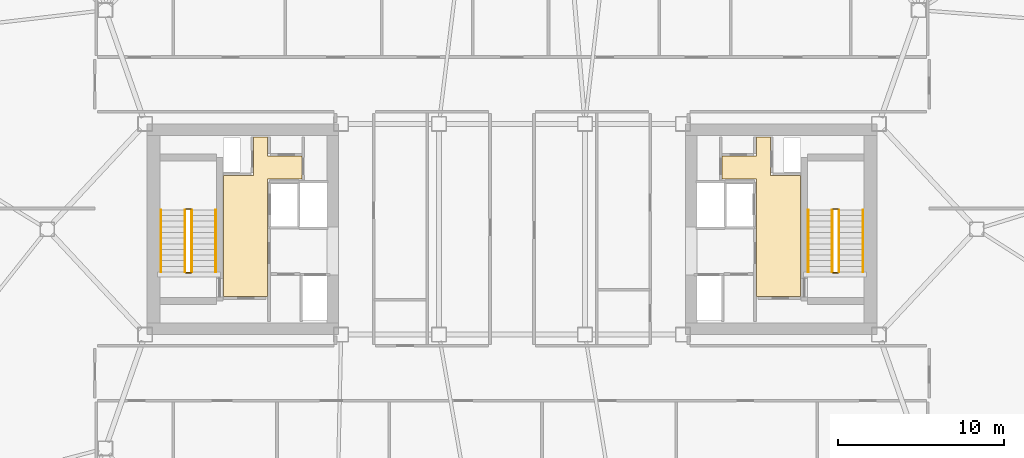
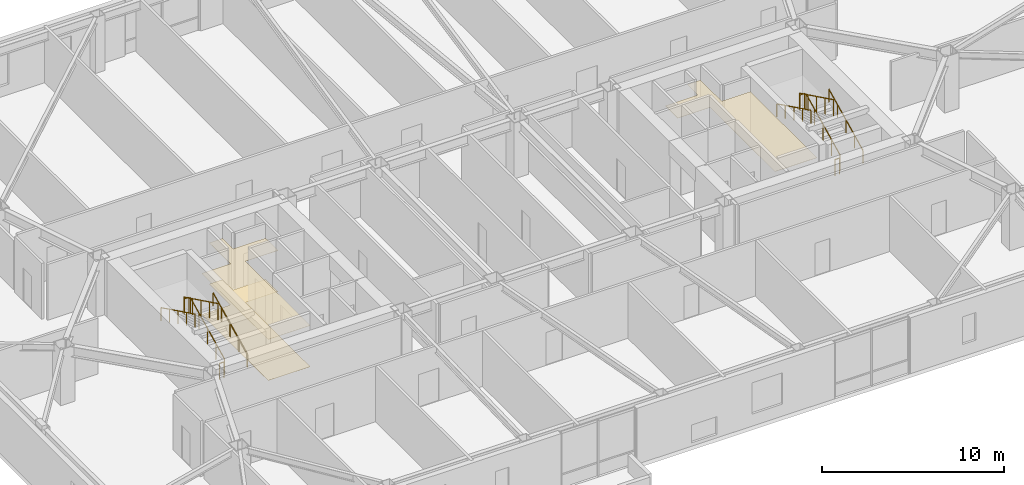
# One storey, part 18 of 18: 12 railings, 3 coverings.
"""IFC4 building model written with IfcOpenShell, lengths in metres."""

from ifc_helpers import new_model, si_unit, direction, frame, origin, origin_2d, place, context, subcontext, project, spatial, polyline, rectangle, outline, extrude, material, layer, layer_set, type_object, element, save


model = new_model("IFC4")

# Units and contexts
model_context = context("Model", 3, precision=1e-05, world=origin(), true_north=direction((0.0, 1.0)))
body_context = subcontext(model_context, "Body", "Model", "MODEL_VIEW")
ifc_project = project(units=[si_unit("LENGTHUNIT", "METRE"), si_unit("AREAUNIT", "SQUARE_METRE"), si_unit("VOLUMEUNIT", "CUBIC_METRE"), si_unit("PLANEANGLEUNIT", "RADIAN"), si_unit("MASSUNIT", "GRAM", prefix="KILO")], contexts=[model_context])

# Site, building, storey
site_placement = place(None, origin())
site = spatial("IfcSite", under=ifc_project, at=site_placement, CompositionType="ELEMENT")
building_placement = place(site_placement, origin())
building = spatial("IfcBuilding", under=site, at=building_placement, Name="Tavrogorsk Clinical Tower", CompositionType="ELEMENT")
storey_placement = place(building_placement, frame((0.0, 0.0, 168.199951171875)))
storey = spatial("IfcBuildingStorey", under=building, at=storey_placement, Name="L38", CompositionType="ELEMENT", Elevation=168.199951171875)

# Coverings
ifc_material_1 = material(Name="Antibacterial micro-perforated aluminium ceiling", Category="aluminium")
ifc_layer_1 = layer(ifc_material_1, 0.014892578125)
ifc_layer_set_1 = layer_set([ifc_layer_1], Name="Antibacterial micro-perforated aluminium ceiling")
covering_type_1 = type_object("IfcCoveringType", Name="ClinicalCeiling_15", PredefinedType="CEILING", material=ifc_layer_set_1)
covering_1_placement = place(storey_placement, frame((0.0, 0.0, 2.75)))
element("IfcCovering", 1, at=covering_1_placement, inside=storey, type_object=covering_type_1, Name="Core West Firefighting Lift Lobby Acoustic Ceiling", PredefinedType="CEILING", context=body_context, shape_type="SweptSolid", body=[
    extrude(outline(polyline([(-17.3798828125, -4.06005859375), (-17.3798828125, 3.239990234375), (-15.56005859375, 3.239990234375), (-15.56005859375, 5.56005859375), (-14.719970703125, 5.56005859375), (-14.719970703125, 4.39990234375), (-12.659912109375, 4.39990234375), (-12.659912109375, 3.0400390625), (-14.719970703125, 3.0400390625), (-14.719970703125, -4.06005859375), (-17.3798828125, -4.06005859375)])), origin(), (0.0, 0.0, 1.0), 0.01513671875),
])
covering_2_placement = place(storey_placement, frame((0.0, 0.0, 2.75)))
element("IfcCovering", 2, at=covering_2_placement, inside=storey, type_object=covering_type_1, Name="Core East Firefighting Lift Lobby Acoustic Ceiling", PredefinedType="CEILING", context=body_context, shape_type="SweptSolid", body=[
    extrude(outline(polyline([(14.719970703125, 3.0400390625), (12.659912109375, 3.0400390625), (12.659912109375, 4.39990234375), (14.719970703125, 4.39990234375), (14.719970703125, 5.56005859375), (15.56005859375, 5.56005859375), (15.56005859375, 3.239990234375), (17.3798828125, 3.239990234375), (17.3798828125, -4.06005859375), (14.719970703125, -4.06005859375), (14.719970703125, 3.0400390625)])), origin(), (0.0, 0.0, 1.0), 0.01513671875),
])
ifc_material_2 = material(Name="Homogeneous medical conductive PVC flooring")
ifc_layer_2 = layer(ifc_material_2, 0.008056640625)
ifc_layer_set_2 = layer_set([ifc_layer_2], Name="Homogeneous medical conductive PVC flooring")
covering_type_2 = type_object("IfcCoveringType", Name="ResilientVinylFloor_8", PredefinedType="FLOORING", material=ifc_layer_set_2)
covering_3_placement = place(storey_placement, origin())
element("IfcCovering", 3, at=covering_3_placement, inside=storey, type_object=covering_type_2, Name="Core West Firefighting Lift Lobby Conductive Vinyl Flooring", PredefinedType="FLOORING", context=body_context, shape_type="SweptSolid", body=[
    extrude(outline(polyline([(-17.3798828125, -4.06005859375), (-17.3798828125, 3.239990234375), (-15.56005859375, 3.239990234375), (-15.56005859375, 5.56005859375), (-14.719970703125, 5.56005859375), (-14.719970703125, 4.39990234375), (-12.659912109375, 4.39990234375), (-12.659912109375, 3.0400390625), (-14.719970703125, 3.0400390625), (-14.719970703125, -4.06005859375), (-17.3798828125, -4.06005859375)])), origin(), (0.0, 0.0, 1.0), 0.008056640625),
])

# Railings
ifc_material_3 = material(Name="Galvanised steel S355 safety stairwell guard", Category="steel")
ifc_layer_3 = layer(ifc_material_3, 0.06005859375)
ifc_layer_set_3 = layer_set([ifc_layer_3], Name="Galvanised steel S355 safety stairwell guard")
railing_type_1 = type_object("IfcRailingType", Name="StairGuard_1150", PredefinedType="GUARDRAIL", material=ifc_layer_set_3)
railing_1_placement = place(storey_placement, frame((-19.300048828125, -2.574951171875, 0.166748046875)))
element("IfcRailing", 4, at=railing_1_placement, inside=storey, type_object=railing_type_1, Name="L38 ST-W stair guard 1", PredefinedType="GUARDRAIL", context=body_context, shape_type="SweptSolid", body=[
    extrude(rectangle(XDim=0.048095703125, YDim=0.048095703125, at=origin_2d()), frame((0.0, 0.0, 1.076171875), z_axis=(0.0, 0.897927990467, 0.440142390523), x_axis=(-1.0, 0.0, 0.0)), (0.0, 0.0, 1.0), 4.1650390625),
    extrude(rectangle(XDim=0.0419921875, YDim=0.0419921875, at=origin_2d()), origin(), (0.0, 0.0, 1.0), 1.052001953125),
    extrude(rectangle(XDim=0.0419921875, YDim=0.0419921875, at=origin_2d()), frame((0.0, 0.93505859375, 0.458251953125)), (0.0, 0.0, 1.0), 1.052001953125),
    extrude(rectangle(XDim=0.0419921875, YDim=0.0419921875, at=origin_2d()), frame((0.0, 1.8701171875, 0.91650390625)), (0.0, 0.0, 1.0), 1.052001953125),
    extrude(rectangle(XDim=0.0419921875, YDim=0.0419921875, at=origin_2d()), frame((0.0, 2.804931640625, 1.375)), (0.0, 0.0, 1.0), 1.052001953125),
    extrude(rectangle(XDim=0.0419921875, YDim=0.0419921875, at=origin_2d()), frame((0.0, 3.739990234375, 1.833251953125)), (0.0, 0.0, 1.0), 1.052001953125),
])
railing_2_placement = place(storey_placement, frame((-19.35009765625, 1.215087890625, 2.0)))
element("IfcRailing", 5, at=railing_2_placement, inside=storey, type_object=railing_type_1, Name="L38 ST-W stair guard 2", PredefinedType="GUARDRAIL", context=body_context, shape_type="SweptSolid", body=[
    extrude(rectangle(XDim=0.048095703125, YDim=0.048095703125, at=origin_2d()), frame((0.0, 0.0, 1.076171875), z_axis=(-1.0, 0.0, 0.0), x_axis=(0.0, -1.0, 0.0)), (0.0, 0.0, 1.0), 0.2998046875),
    extrude(rectangle(XDim=0.0419921875, YDim=0.0419921875, at=origin_2d()), origin(), (0.0, 0.0, 1.0), 1.052001953125),
    extrude(rectangle(XDim=0.0419921875, YDim=0.0419921875, at=origin_2d()), frame((-0.2998046875, 0.0, 0.0)), (0.0, 0.0, 1.0), 1.052001953125),
])
railing_3_placement = place(storey_placement, frame((-19.699951171875, 1.1650390625, 2.166748046875)))
element("IfcRailing", 6, at=railing_3_placement, inside=storey, type_object=railing_type_1, Name="L38 ST-W stair guard 3", PredefinedType="GUARDRAIL", context=body_context, shape_type="SweptSolid", body=[
    extrude(rectangle(XDim=0.048095703125, YDim=0.048095703125, at=origin_2d()), frame((0.0, 0.0, 1.076171875), z_axis=(0.0, -0.897927990467, 0.440142390523), x_axis=(1.0, 0.0, 0.0)), (0.0, 0.0, 1.0), 4.1650390625),
    extrude(rectangle(XDim=0.0419921875, YDim=0.0419921875, at=origin_2d()), origin(), (0.0, 0.0, 1.0), 1.052001953125),
    extrude(rectangle(XDim=0.0419921875, YDim=0.0419921875, at=origin_2d()), frame((0.0, -0.93505859375, 0.458251953125)), (0.0, 0.0, 1.0), 1.052001953125),
    extrude(rectangle(XDim=0.0419921875, YDim=0.0419921875, at=origin_2d()), frame((0.0, -1.8701171875, 0.91650390625)), (0.0, 0.0, 1.0), 1.052001953125),
    extrude(rectangle(XDim=0.0419921875, YDim=0.0419921875, at=origin_2d()), frame((0.0, -2.804931640625, 1.375)), (0.0, 0.0, 1.0), 1.052001953125),
    extrude(rectangle(XDim=0.0419921875, YDim=0.0419921875, at=origin_2d()), frame((0.0, -3.739990234375, 1.833251953125)), (0.0, 0.0, 1.0), 1.052001953125),
])
railing_4_placement = place(storey_placement, frame((-19.35009765625, -2.625, 0.0)))
element("IfcRailing", 7, at=railing_4_placement, inside=storey, type_object=railing_type_1, Name="L38 ST-W stair guard 4", PredefinedType="GUARDRAIL", context=body_context, shape_type="SweptSolid", body=[
    extrude(rectangle(XDim=0.048095703125, YDim=0.048095703125, at=origin_2d()), frame((0.0, 0.0, 1.076171875), z_axis=(-1.0, 0.0, 0.0), x_axis=(0.0, -1.0, 0.0)), (0.0, 0.0, 1.0), 0.2998046875),
    extrude(rectangle(XDim=0.0419921875, YDim=0.0419921875, at=origin_2d()), origin(), (0.0, 0.0, 1.0), 1.052001953125),
    extrude(rectangle(XDim=0.0419921875, YDim=0.0419921875, at=origin_2d()), frame((-0.2998046875, 0.0, 0.0)), (0.0, 0.0, 1.0), 1.052001953125),
])
railing_5_placement = place(storey_placement, frame((19.699951171875, -2.574951171875, 0.166748046875)))
element("IfcRailing", 8, at=railing_5_placement, inside=storey, type_object=railing_type_1, Name="L38 ST-E stair guard 1", PredefinedType="GUARDRAIL", context=body_context, shape_type="SweptSolid", body=[
    extrude(rectangle(XDim=0.048095703125, YDim=0.048095703125, at=origin_2d()), frame((0.0, 0.0, 1.076171875), z_axis=(0.0, 0.897927990467, 0.440142390523), x_axis=(-1.0, 0.0, 0.0)), (0.0, 0.0, 1.0), 4.1650390625),
    extrude(rectangle(XDim=0.0419921875, YDim=0.0419921875, at=origin_2d()), origin(), (0.0, 0.0, 1.0), 1.052001953125),
    extrude(rectangle(XDim=0.0419921875, YDim=0.0419921875, at=origin_2d()), frame((0.0, 0.93505859375, 0.458251953125)), (0.0, 0.0, 1.0), 1.052001953125),
    extrude(rectangle(XDim=0.0419921875, YDim=0.0419921875, at=origin_2d()), frame((0.0, 1.8701171875, 0.91650390625)), (0.0, 0.0, 1.0), 1.052001953125),
    extrude(rectangle(XDim=0.0419921875, YDim=0.0419921875, at=origin_2d()), frame((0.0, 2.804931640625, 1.375)), (0.0, 0.0, 1.0), 1.052001953125),
    extrude(rectangle(XDim=0.0419921875, YDim=0.0419921875, at=origin_2d()), frame((0.0, 3.739990234375, 1.833251953125)), (0.0, 0.0, 1.0), 1.052001953125),
])
railing_6_placement = place(storey_placement, frame((19.64990234375, 1.215087890625, 2.0)))
element("IfcRailing", 9, at=railing_6_placement, inside=storey, type_object=railing_type_1, Name="L38 ST-E stair guard 2", PredefinedType="GUARDRAIL", context=body_context, shape_type="SweptSolid", body=[
    extrude(rectangle(XDim=0.048095703125, YDim=0.048095703125, at=origin_2d()), frame((0.0, 0.0, 1.076171875), z_axis=(-1.0, 0.0, 0.0), x_axis=(0.0, -1.0, 0.0)), (0.0, 0.0, 1.0), 0.2998046875),
    extrude(rectangle(XDim=0.0419921875, YDim=0.0419921875, at=origin_2d()), origin(), (0.0, 0.0, 1.0), 1.052001953125),
    extrude(rectangle(XDim=0.0419921875, YDim=0.0419921875, at=origin_2d()), frame((-0.2998046875, 0.0, 0.0)), (0.0, 0.0, 1.0), 1.052001953125),
])
railing_7_placement = place(storey_placement, frame((19.300048828125, 1.1650390625, 2.166748046875)))
element("IfcRailing", 10, at=railing_7_placement, inside=storey, type_object=railing_type_1, Name="L38 ST-E stair guard 3", PredefinedType="GUARDRAIL", context=body_context, shape_type="SweptSolid", body=[
    extrude(rectangle(XDim=0.048095703125, YDim=0.048095703125, at=origin_2d()), frame((0.0, 0.0, 1.076171875), z_axis=(0.0, -0.897927990467, 0.440142390523), x_axis=(1.0, 0.0, 0.0)), (0.0, 0.0, 1.0), 4.1650390625),
    extrude(rectangle(XDim=0.0419921875, YDim=0.0419921875, at=origin_2d()), origin(), (0.0, 0.0, 1.0), 1.052001953125),
    extrude(rectangle(XDim=0.0419921875, YDim=0.0419921875, at=origin_2d()), frame((0.0, -0.93505859375, 0.458251953125)), (0.0, 0.0, 1.0), 1.052001953125),
    extrude(rectangle(XDim=0.0419921875, YDim=0.0419921875, at=origin_2d()), frame((0.0, -1.8701171875, 0.91650390625)), (0.0, 0.0, 1.0), 1.052001953125),
    extrude(rectangle(XDim=0.0419921875, YDim=0.0419921875, at=origin_2d()), frame((0.0, -2.804931640625, 1.375)), (0.0, 0.0, 1.0), 1.052001953125),
    extrude(rectangle(XDim=0.0419921875, YDim=0.0419921875, at=origin_2d()), frame((0.0, -3.739990234375, 1.833251953125)), (0.0, 0.0, 1.0), 1.052001953125),
])
railing_8_placement = place(storey_placement, frame((19.64990234375, -2.625, 0.0)))
element("IfcRailing", 11, at=railing_8_placement, inside=storey, type_object=railing_type_1, Name="L38 ST-E stair guard 4", PredefinedType="GUARDRAIL", context=body_context, shape_type="SweptSolid", body=[
    extrude(rectangle(XDim=0.048095703125, YDim=0.048095703125, at=origin_2d()), frame((0.0, 0.0, 1.076171875), z_axis=(-1.0, 0.0, 0.0), x_axis=(0.0, -1.0, 0.0)), (0.0, 0.0, 1.0), 0.2998046875),
    extrude(rectangle(XDim=0.0419921875, YDim=0.0419921875, at=origin_2d()), origin(), (0.0, 0.0, 1.0), 1.052001953125),
    extrude(rectangle(XDim=0.0419921875, YDim=0.0419921875, at=origin_2d()), frame((-0.2998046875, 0.0, 0.0)), (0.0, 0.0, 1.0), 1.052001953125),
])
ifc_material_4 = material(Name="Stainless steel AISI 304 tubular handrail", Category="steel")
ifc_layer_4 = layer(ifc_material_4, 0.050048828125)
ifc_layer_set_4 = layer_set([ifc_layer_4], Name="Stainless steel AISI 304 tubular handrail")
railing_type_2 = type_object("IfcRailingType", Name="StairHandrail_920", PredefinedType="HANDRAIL", material=ifc_layer_set_4)
railing_9_placement = place(storey_placement, frame((-17.85009765625, -2.574951171875, 0.166748046875)))
element("IfcRailing", 12, at=railing_9_placement, inside=storey, type_object=railing_type_2, Name="L38 ST-W stair handrail 1", PredefinedType="HANDRAIL", context=body_context, shape_type="SweptSolid", body=[
    extrude(rectangle(XDim=0.048095703125, YDim=0.048095703125, at=origin_2d()), frame((0.0, 0.0, 0.8759765625), z_axis=(0.0, 0.897927990467, 0.440142390523), x_axis=(-1.0, 0.0, 0.0)), (0.0, 0.0, 1.0), 4.1650390625),
    extrude(rectangle(XDim=0.0419921875, YDim=0.0419921875, at=origin_2d()), origin(), (0.0, 0.0, 1.0), 0.851806640625),
    extrude(rectangle(XDim=0.0419921875, YDim=0.0419921875, at=origin_2d()), frame((0.0, 0.93505859375, 0.458251953125)), (0.0, 0.0, 1.0), 0.851806640625),
    extrude(rectangle(XDim=0.0419921875, YDim=0.0419921875, at=origin_2d()), frame((0.0, 1.8701171875, 0.91650390625)), (0.0, 0.0, 1.0), 0.851806640625),
    extrude(rectangle(XDim=0.0419921875, YDim=0.0419921875, at=origin_2d()), frame((0.0, 2.804931640625, 1.375)), (0.0, 0.0, 1.0), 0.851806640625),
    extrude(rectangle(XDim=0.0419921875, YDim=0.0419921875, at=origin_2d()), frame((0.0, 3.739990234375, 1.833251953125)), (0.0, 0.0, 1.0), 0.851806640625),
])
railing_10_placement = place(storey_placement, frame((-21.14990234375, 1.1650390625, 2.166748046875)))
element("IfcRailing", 13, at=railing_10_placement, inside=storey, type_object=railing_type_2, Name="L38 ST-W stair handrail 2", PredefinedType="HANDRAIL", context=body_context, shape_type="SweptSolid", body=[
    extrude(rectangle(XDim=0.048095703125, YDim=0.048095703125, at=origin_2d()), frame((0.0, 0.0, 0.8759765625), z_axis=(0.0, -0.897927990467, 0.440142390523), x_axis=(1.0, 0.0, 0.0)), (0.0, 0.0, 1.0), 4.1650390625),
    extrude(rectangle(XDim=0.0419921875, YDim=0.0419921875, at=origin_2d()), origin(), (0.0, 0.0, 1.0), 0.851806640625),
    extrude(rectangle(XDim=0.0419921875, YDim=0.0419921875, at=origin_2d()), frame((0.0, -0.93505859375, 0.458251953125)), (0.0, 0.0, 1.0), 0.851806640625),
    extrude(rectangle(XDim=0.0419921875, YDim=0.0419921875, at=origin_2d()), frame((0.0, -1.8701171875, 0.91650390625)), (0.0, 0.0, 1.0), 0.851806640625),
    extrude(rectangle(XDim=0.0419921875, YDim=0.0419921875, at=origin_2d()), frame((0.0, -2.804931640625, 1.375)), (0.0, 0.0, 1.0), 0.851806640625),
    extrude(rectangle(XDim=0.0419921875, YDim=0.0419921875, at=origin_2d()), frame((0.0, -3.739990234375, 1.833251953125)), (0.0, 0.0, 1.0), 0.851806640625),
])
railing_11_placement = place(storey_placement, frame((21.14990234375, -2.574951171875, 0.166748046875)))
element("IfcRailing", 14, at=railing_11_placement, inside=storey, type_object=railing_type_2, Name="L38 ST-E stair handrail 1", PredefinedType="HANDRAIL", context=body_context, shape_type="SweptSolid", body=[
    extrude(rectangle(XDim=0.048095703125, YDim=0.048095703125, at=origin_2d()), frame((0.0, 0.0, 0.8759765625), z_axis=(0.0, 0.897927990467, 0.440142390523), x_axis=(-1.0, 0.0, 0.0)), (0.0, 0.0, 1.0), 4.1650390625),
    extrude(rectangle(XDim=0.0419921875, YDim=0.0419921875, at=origin_2d()), origin(), (0.0, 0.0, 1.0), 0.851806640625),
    extrude(rectangle(XDim=0.0419921875, YDim=0.0419921875, at=origin_2d()), frame((0.0, 0.93505859375, 0.458251953125)), (0.0, 0.0, 1.0), 0.851806640625),
    extrude(rectangle(XDim=0.0419921875, YDim=0.0419921875, at=origin_2d()), frame((0.0, 1.8701171875, 0.91650390625)), (0.0, 0.0, 1.0), 0.851806640625),
    extrude(rectangle(XDim=0.0419921875, YDim=0.0419921875, at=origin_2d()), frame((0.0, 2.804931640625, 1.375)), (0.0, 0.0, 1.0), 0.851806640625),
    extrude(rectangle(XDim=0.0419921875, YDim=0.0419921875, at=origin_2d()), frame((0.0, 3.739990234375, 1.833251953125)), (0.0, 0.0, 1.0), 0.851806640625),
])
railing_12_placement = place(storey_placement, frame((17.85009765625, 1.1650390625, 2.166748046875)))
element("IfcRailing", 15, at=railing_12_placement, inside=storey, type_object=railing_type_2, Name="L38 ST-E stair handrail 2", PredefinedType="HANDRAIL", context=body_context, shape_type="SweptSolid", body=[
    extrude(rectangle(XDim=0.048095703125, YDim=0.048095703125, at=origin_2d()), frame((0.0, 0.0, 0.8759765625), z_axis=(0.0, -0.897927990467, 0.440142390523), x_axis=(1.0, 0.0, 0.0)), (0.0, 0.0, 1.0), 4.1650390625),
    extrude(rectangle(XDim=0.0419921875, YDim=0.0419921875, at=origin_2d()), origin(), (0.0, 0.0, 1.0), 0.851806640625),
    extrude(rectangle(XDim=0.0419921875, YDim=0.0419921875, at=origin_2d()), frame((0.0, -0.93505859375, 0.458251953125)), (0.0, 0.0, 1.0), 0.851806640625),
    extrude(rectangle(XDim=0.0419921875, YDim=0.0419921875, at=origin_2d()), frame((0.0, -1.8701171875, 0.91650390625)), (0.0, 0.0, 1.0), 0.851806640625),
    extrude(rectangle(XDim=0.0419921875, YDim=0.0419921875, at=origin_2d()), frame((0.0, -2.804931640625, 1.375)), (0.0, 0.0, 1.0), 0.851806640625),
    extrude(rectangle(XDim=0.0419921875, YDim=0.0419921875, at=origin_2d()), frame((0.0, -3.739990234375, 1.833251953125)), (0.0, 0.0, 1.0), 0.851806640625),
])

save(model, "model.ifc")
